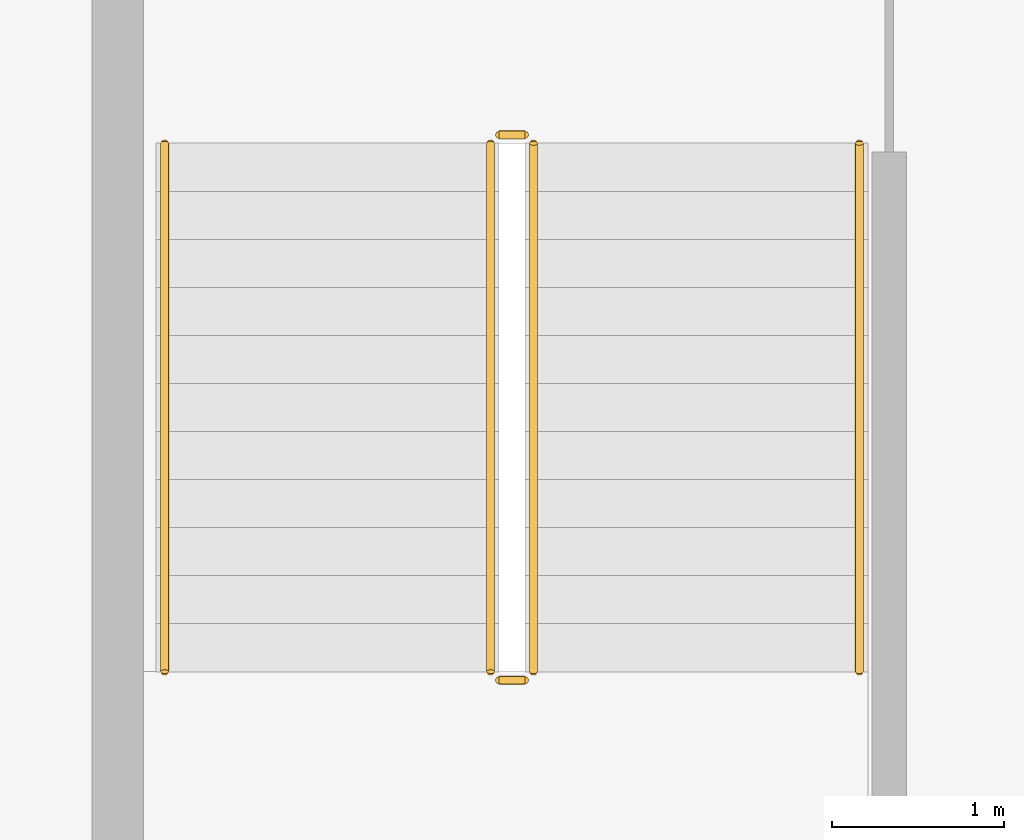
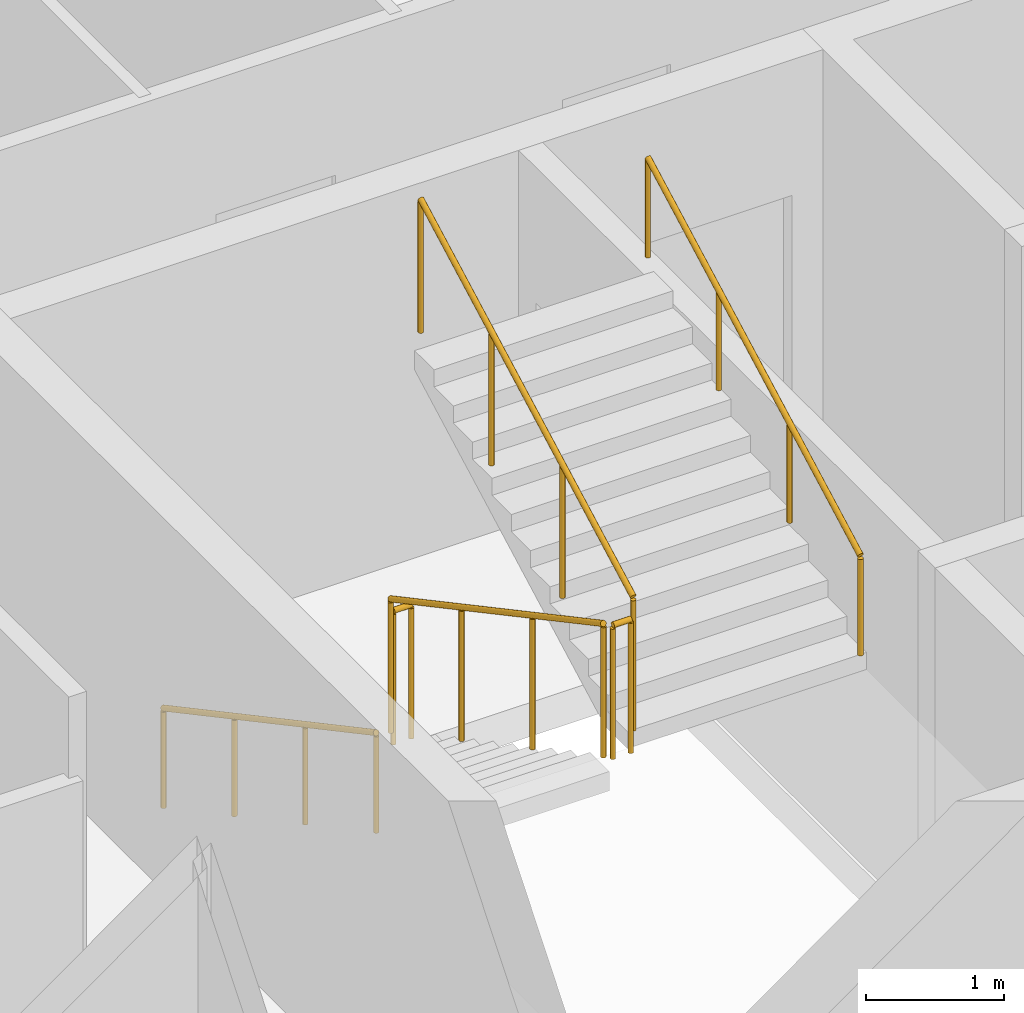
# One storey, part 13 of 15: 6 railings.
"""IFC4 building model written with IfcOpenShell, lengths in metres."""

from ifc_helpers import new_model, si_unit, direction, frame, origin, origin_2d, place, context, subcontext, project, spatial, circle, extrude, material, type_object, element, save


model = new_model("IFC4")

# Units and contexts
model_context = context("Model", 3, precision=1e-05, world=origin(), true_north=direction((0.0, 1.0)))
body_context = subcontext(model_context, "Body", "Model", "MODEL_VIEW")
ifc_project = project(units=[si_unit("LENGTHUNIT", "METRE"), si_unit("AREAUNIT", "SQUARE_METRE"), si_unit("VOLUMEUNIT", "CUBIC_METRE"), si_unit("PLANEANGLEUNIT", "RADIAN"), si_unit("MASSUNIT", "GRAM", prefix="KILO")], contexts=[model_context])

# Site, building, storey
site_placement = place(None, origin())
site = spatial("IfcSite", under=ifc_project, at=site_placement, CompositionType="ELEMENT")
building_placement = place(site_placement, origin())
building = spatial("IfcBuilding", under=site, at=building_placement, Name="Caravel Reach Hotel and Residences", CompositionType="ELEMENT")
storey_placement = place(building_placement, frame((0.0, 0.0, 81.60009765625)))
storey = spatial("IfcBuildingStorey", under=building, at=storey_placement, Name="L19", CompositionType="ELEMENT", Elevation=81.60009765625)

# Railings
ifc_material_1 = material(Name="Steel balustrade with glass infill", Category="steel")
railing_type_1 = type_object("IfcRailingType", Name="Guard 1200", PredefinedType="GUARDRAIL", material=ifc_material_1)
railing_1_placement = place(storey_placement, frame((20.175048828125, 29.35009765625, 0.14990234375)))
element("IfcRailing", 1, at=railing_1_placement, inside=storey, type_object=railing_type_1, Name="L19 ST-A stair guard 1", PredefinedType="GUARDRAIL", context=body_context, shape_type="SweptSolid", body=[
    extrude(circle(Radius=0.02392578125, at=origin_2d()), frame((0.0, 0.0, 1.17578125), z_axis=(0.0, -0.881496589024, 0.472190389079), x_axis=(1.0, 0.0, 0.0)), (0.0, 0.0, 1.0), 3.494140625),
    extrude(circle(Radius=0.02099609375, at=origin_2d()), origin(), (0.0, 0.0, 1.0), 1.15185546875),
    extrude(circle(Radius=0.02099609375, at=origin_2d()), frame((0.0, -1.026611328125, 0.550048828125)), (0.0, 0.0, 1.0), 1.15185546875),
    extrude(circle(Radius=0.02099609375, at=origin_2d()), frame((0.0, -2.053466796875, 1.099853515625)), (0.0, 0.0, 1.0), 1.15185546875),
    extrude(circle(Radius=0.02099609375, at=origin_2d()), frame((0.0, -3.080078125, 1.64990234375)), (0.0, 0.0, 1.0), 1.15185546875),
])
railing_2_placement = place(storey_placement, frame((20.22509765625, 26.219970703125, 1.7998046875)))
element("IfcRailing", 2, at=railing_2_placement, inside=storey, type_object=railing_type_1, Name="L19 ST-A stair guard 2", PredefinedType="GUARDRAIL", context=body_context, shape_type="SweptSolid", body=[
    extrude(circle(Radius=0.02392578125, at=origin_2d()), frame((0.0, 0.0, 1.17578125), z_axis=(1.0, 0.0, 0.0), x_axis=(0.0, 1.0, 0.0)), (0.0, 0.0, 1.0), 0.14990234375),
    extrude(circle(Radius=0.02099609375, at=origin_2d()), origin(), (0.0, 0.0, 1.0), 1.15185546875),
    extrude(circle(Radius=0.02099609375, at=origin_2d()), frame((0.14990234375, 0.0, 0.0)), (0.0, 0.0, 1.0), 1.15185546875),
])
railing_3_placement = place(storey_placement, frame((20.425048828125, 26.27001953125, 1.949951171875)))
element("IfcRailing", 3, at=railing_3_placement, inside=storey, type_object=railing_type_1, Name="L19 ST-A stair guard 3", PredefinedType="GUARDRAIL", context=body_context, shape_type="SweptSolid", body=[
    extrude(circle(Radius=0.02392578125, at=origin_2d()), frame((0.0, 0.0, 1.17578125), z_axis=(0.0, 0.881496589024, 0.472190389079), x_axis=(-1.0, 0.0, 0.0)), (0.0, 0.0, 1.0), 3.494140625),
    extrude(circle(Radius=0.02099609375, at=origin_2d()), origin(), (0.0, 0.0, 1.0), 1.15185546875),
    extrude(circle(Radius=0.02099609375, at=origin_2d()), frame((0.0, 1.026611328125, 0.550048828125)), (0.0, 0.0, 1.0), 1.15185546875),
    extrude(circle(Radius=0.02099609375, at=origin_2d()), frame((0.0, 2.053466796875, 1.099853515625)), (0.0, 0.0, 1.0), 1.15185546875),
    extrude(circle(Radius=0.02099609375, at=origin_2d()), frame((0.0, 3.080078125, 1.64990234375)), (0.0, 0.0, 1.0), 1.15185546875),
])
railing_4_placement = place(storey_placement, frame((20.22509765625, 29.39990234375, 0.0)))
element("IfcRailing", 4, at=railing_4_placement, inside=storey, type_object=railing_type_1, Name="L19 ST-A stair guard 4", PredefinedType="GUARDRAIL", context=body_context, shape_type="SweptSolid", body=[
    extrude(circle(Radius=0.02392578125, at=origin_2d()), frame((0.0, 0.0, 1.17578125), z_axis=(1.0, 0.0, 0.0), x_axis=(0.0, 1.0, 0.0)), (0.0, 0.0, 1.0), 0.14990234375),
    extrude(circle(Radius=0.02099609375, at=origin_2d()), origin(), (0.0, 0.0, 1.0), 1.15185546875),
    extrude(circle(Radius=0.02099609375, at=origin_2d()), frame((0.14990234375, 0.0, 0.0)), (0.0, 0.0, 1.0), 1.15185546875),
])
ifc_material_2 = material(Name="Stainless steel handrail", Category="steel")
railing_type_2 = type_object("IfcRailingType", Name="Handrail 900", PredefinedType="HANDRAIL", material=ifc_material_2)
railing_5_placement = place(storey_placement, frame((18.27490234375, 29.35009765625, 0.14990234375)))
element("IfcRailing", 5, at=railing_5_placement, inside=storey, type_object=railing_type_2, Name="L19 ST-A stair handrail 1", PredefinedType="HANDRAIL", context=body_context, shape_type="SweptSolid", body=[
    extrude(circle(Radius=0.02392578125, at=origin_2d()), frame((0.0, 0.0, 0.8759765625), z_axis=(0.0, -0.881496589024, 0.472190389079), x_axis=(1.0, 0.0, 0.0)), (0.0, 0.0, 1.0), 3.494140625),
    extrude(circle(Radius=0.02099609375, at=origin_2d()), origin(), (0.0, 0.0, 1.0), 0.851806640625),
    extrude(circle(Radius=0.02099609375, at=origin_2d()), frame((0.0, -1.026611328125, 0.550048828125)), (0.0, 0.0, 1.0), 0.851806640625),
    extrude(circle(Radius=0.02099609375, at=origin_2d()), frame((0.0, -2.053466796875, 1.099853515625)), (0.0, 0.0, 1.0), 0.851806640625),
    extrude(circle(Radius=0.02099609375, at=origin_2d()), frame((0.0, -3.080078125, 1.64990234375)), (0.0, 0.0, 1.0), 0.851806640625),
])
railing_6_placement = place(storey_placement, frame((22.324951171875, 26.27001953125, 1.949951171875)))
element("IfcRailing", 6, at=railing_6_placement, inside=storey, type_object=railing_type_2, Name="L19 ST-A stair handrail 2", PredefinedType="HANDRAIL", context=body_context, shape_type="SweptSolid", body=[
    extrude(circle(Radius=0.02392578125, at=origin_2d()), frame((0.0, 0.0, 0.8759765625), z_axis=(0.0, 0.881496589024, 0.472190389079), x_axis=(-1.0, 0.0, 0.0)), (0.0, 0.0, 1.0), 3.494140625),
    extrude(circle(Radius=0.02099609375, at=origin_2d()), origin(), (0.0, 0.0, 1.0), 0.851806640625),
    extrude(circle(Radius=0.02099609375, at=origin_2d()), frame((0.0, 1.026611328125, 0.550048828125)), (0.0, 0.0, 1.0), 0.851806640625),
    extrude(circle(Radius=0.02099609375, at=origin_2d()), frame((0.0, 2.053466796875, 1.099853515625)), (0.0, 0.0, 1.0), 0.851806640625),
    extrude(circle(Radius=0.02099609375, at=origin_2d()), frame((0.0, 3.080078125, 1.64990234375)), (0.0, 0.0, 1.0), 0.851806640625),
])

save(model, "model.ifc")
